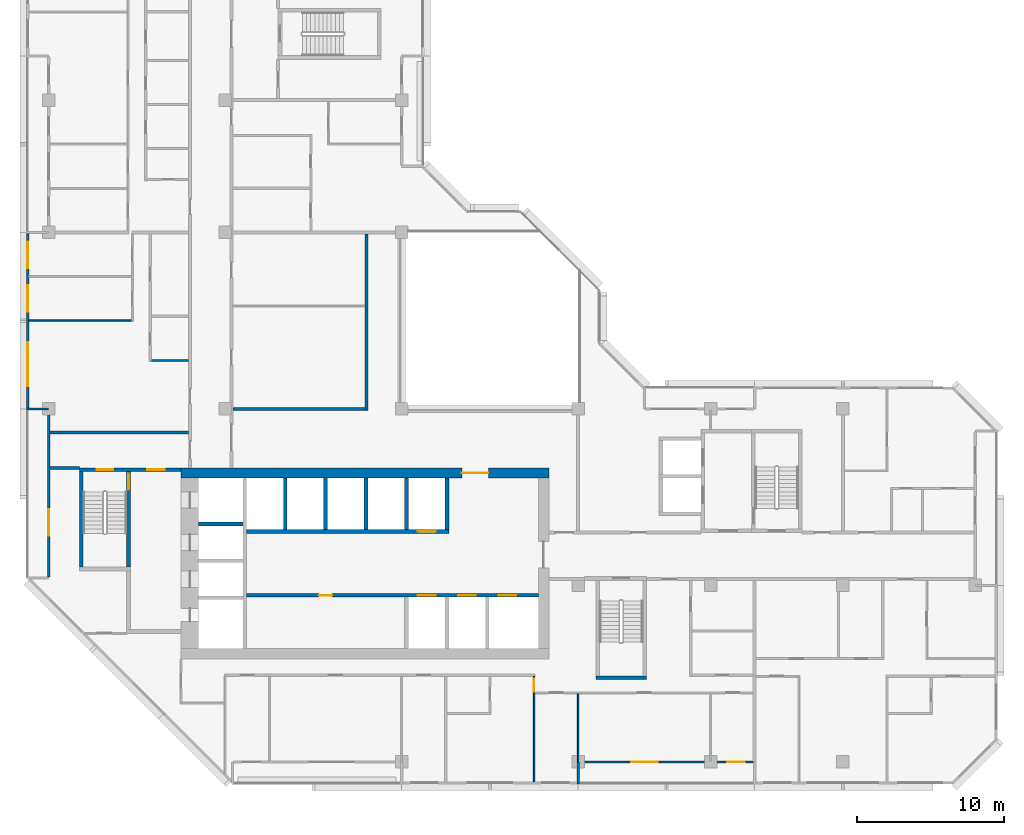
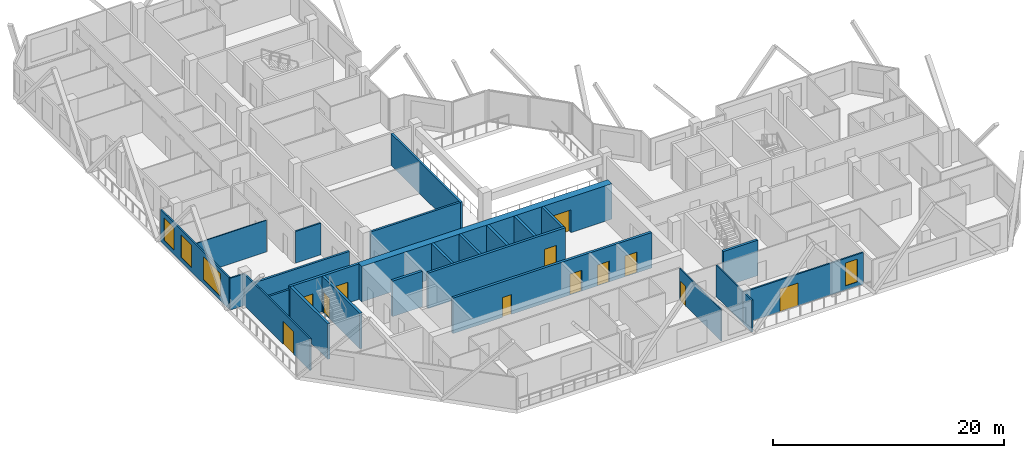
# One storey, part 5 of 15: 26 walls, 12 doors, 4 windows, 16 openings.
"""IFC4 building model written with IfcOpenShell, lengths in metres."""

from ifc_helpers import new_model, si_unit, direction, frame, frame_2d, origin, place, context, subcontext, project, spatial, rectangle, extrude, material, layer, layer_set, type_object, element, fill, save


model = new_model("IFC4")

# Units and contexts
model_context = context("Model", 3, precision=1e-05, world=origin(), true_north=direction((0.0, 1.0)))
body_context = subcontext(model_context, "Body", "Model", "MODEL_VIEW")
ifc_project = project(units=[si_unit("LENGTHUNIT", "METRE"), si_unit("AREAUNIT", "SQUARE_METRE"), si_unit("VOLUMEUNIT", "CUBIC_METRE"), si_unit("PLANEANGLEUNIT", "RADIAN"), si_unit("MASSUNIT", "GRAM", prefix="KILO")], contexts=[model_context])

# Site, building, storey
site_placement = place(None, origin())
site = spatial("IfcSite", under=ifc_project, at=site_placement, CompositionType="ELEMENT")
building_placement = place(site_placement, origin())
building = spatial("IfcBuilding", under=site, at=building_placement, Name="Chenar Terraces", CompositionType="ELEMENT")
storey_placement = place(building_placement, frame((0.0, 0.0, 211.64990234375)))
storey = spatial("IfcBuildingStorey", under=building, at=storey_placement, Name="L49", CompositionType="ELEMENT", Elevation=211.64990234375)

# Wall, openings, doors
ifc_material_1 = material(Name="Concrete C60/75", Category="concrete")
ifc_layer_1 = layer(ifc_material_1, 0.25)
ifc_layer_set_1 = layer_set([ifc_layer_1], Name="Concrete C60/75")
wall_type_1 = type_object("IfcWallType", Name="Core wall 250 Concrete C60/75", PredefinedType="SHEAR", material=ifc_layer_set_1)
wall_1_placement = place(storey_placement, frame((13.449951171875, 11.324951171875, 0.0), z_axis=(0.0, 0.0, 1.0), x_axis=(1.0, 0.0, 0.0)))
wall_1 = element("IfcWall", 1, at=wall_1_placement, inside=storey, type_object=wall_type_1, Name="Core wall SF L49", PredefinedType="SHEAR", context=body_context, shape_type="SweptSolid", body=[
    extrude(rectangle(XDim=19.85009765625, YDim=0.25, at=frame_2d((9.925048828125, 0.0))), origin(), (0.0, 0.0, 1.0), 3.75),
])
opening_1_placement = place(wall_1_placement, frame((11.64990234375, 0.0, 0.0)))
opening_1 = element("IfcOpeningElement", 2, at=opening_1_placement, cuts=wall_1, Name="Opening DL49-LD1", PredefinedType="OPENING", context=body_context, shape_type="SweptSolid", body=[
    extrude(rectangle(XDim=1.199951171875, YDim=2.199951171875, at=frame_2d((0.60009765625, 1.10009765625))), frame((0.0, 0.135009765625, 0.0), z_axis=(0.0, -1.0, 0.0), x_axis=(1.0, 0.0, 0.0)), (0.0, 0.0, 1.0), 0.27001953125),
])
opening_2_placement = place(wall_1_placement, frame((14.39990234375, 0.0, 0.0)))
opening_2 = element("IfcOpeningElement", 3, at=opening_2_placement, cuts=wall_1, Name="Opening DL49-LD2", PredefinedType="OPENING", context=body_context, shape_type="SweptSolid", body=[
    extrude(rectangle(XDim=1.199951171875, YDim=2.199951171875, at=frame_2d((0.60009765625, 1.10009765625))), frame((0.0, 0.135009765625, 0.0), z_axis=(0.0, -1.0, 0.0), x_axis=(1.0, 0.0, 0.0)), (0.0, 0.0, 1.0), 0.27001953125),
])
opening_3_placement = place(wall_1_placement, frame((17.14990234375, 0.0, 0.0)))
opening_3 = element("IfcOpeningElement", 4, at=opening_3_placement, cuts=wall_1, Name="Opening DL49-LD3", PredefinedType="OPENING", context=body_context, shape_type="SweptSolid", body=[
    extrude(rectangle(XDim=1.199951171875, YDim=2.199951171875, at=frame_2d((0.60009765625, 1.10009765625))), frame((0.0, 0.135009765625, 0.0), z_axis=(0.0, -1.0, 0.0), x_axis=(1.0, 0.0, 0.0)), (0.0, 0.0, 1.0), 0.27001953125),
])
opening_4_placement = place(wall_1_placement, frame((4.925048828125, 0.0, 0.0)))
opening_4 = element("IfcOpeningElement", 5, at=opening_4_placement, cuts=wall_1, Name="Opening DL49-C12", PredefinedType="OPENING", context=body_context, shape_type="SweptSolid", body=[
    extrude(rectangle(XDim=0.89990234375, YDim=2.10009765625, at=frame_2d((0.449951171875, 1.050048828125))), frame((0.0, 0.135009765625, 0.0), z_axis=(0.0, -1.0, 0.0), x_axis=(1.0, 0.0, 0.0)), (0.0, 0.0, 1.0), 0.27001953125),
])
ifc_material_2 = material(Name="Stainless steel", Category="steel")
door_type_1 = type_object("IfcDoorType", Name="Lift landing door 1200 x 2200 sliding", OperationType="DOUBLE_DOOR_SLIDING", PredefinedType="DOOR", material=ifc_material_2)
door_1_placement = place(opening_1_placement, origin())
door_1 = element("IfcDoor", 6, at=door_1_placement, inside=storey, type_object=door_type_1, Name="Landing door M1", OperationType="DOUBLE_DOOR_SLIDING", OverallHeight=2.199951171875, OverallWidth=1.199951171875, PredefinedType="DOOR", context=body_context, shape_type="SweptSolid", body=[
    extrude(rectangle(XDim=1.199951171875, YDim=2.199951171875, at=frame_2d((0.60009765625, 1.10009765625))), frame((0.0, 0.02490234375, 0.0), z_axis=(0.0, -1.0, 0.0), x_axis=(1.0, 0.0, 0.0)), (0.0, 0.0, 1.0), 0.050048828125),
])
fill(opening_1, door_1)
door_2_placement = place(opening_2_placement, origin())
door_2 = element("IfcDoor", 7, at=door_2_placement, inside=storey, type_object=door_type_1, Name="Landing door M2", OperationType="DOUBLE_DOOR_SLIDING", OverallHeight=2.199951171875, OverallWidth=1.199951171875, PredefinedType="DOOR", context=body_context, shape_type="SweptSolid", body=[
    extrude(rectangle(XDim=1.199951171875, YDim=2.199951171875, at=frame_2d((0.60009765625, 1.10009765625))), frame((0.0, 0.02490234375, 0.0), z_axis=(0.0, -1.0, 0.0), x_axis=(1.0, 0.0, 0.0)), (0.0, 0.0, 1.0), 0.050048828125),
])
fill(opening_2, door_2)
door_3_placement = place(opening_3_placement, origin())
door_3 = element("IfcDoor", 8, at=door_3_placement, inside=storey, type_object=door_type_1, Name="Landing door M3", OperationType="DOUBLE_DOOR_SLIDING", OverallHeight=2.199951171875, OverallWidth=1.199951171875, PredefinedType="DOOR", context=body_context, shape_type="SweptSolid", body=[
    extrude(rectangle(XDim=1.199951171875, YDim=2.199951171875, at=frame_2d((0.60009765625, 1.10009765625))), frame((0.0, 0.02490234375, 0.0), z_axis=(0.0, -1.0, 0.0), x_axis=(1.0, 0.0, 0.0)), (0.0, 0.0, 1.0), 0.050048828125),
])
fill(opening_3, door_3)
ifc_material_3 = material(Name="Steel-framed fire-resisting door leaf", Category="steel")
door_type_2 = type_object("IfcDoorType", Name="Riser fire door FD60 900 x 2100", OperationType="SINGLE_SWING_LEFT", PredefinedType="DOOR", material=ifc_material_3)
door_4_placement = place(opening_4_placement, frame((0.89990234375, 0.0, 0.0), z_axis=(0.0, 0.0, 1.0), x_axis=(-1.0, 0.0, 0.0)))
door_4 = element("IfcDoor", 9, at=door_4_placement, inside=storey, type_object=door_type_2, Name="Core room door DL49-C12", OperationType="SINGLE_SWING_RIGHT", OverallHeight=2.10009765625, OverallWidth=0.89990234375, PredefinedType="DOOR", context=body_context, shape_type="SweptSolid", body=[
    extrude(rectangle(XDim=0.89990234375, YDim=2.10009765625, at=frame_2d((0.449951171875, 1.050048828125))), frame((0.0, 0.02490234375, 0.0), z_axis=(0.0, -1.0, 0.0), x_axis=(1.0, 0.0, 0.0)), (0.0, 0.0, 1.0), 0.050048828125),
])
fill(opening_4, door_4)

# Wall, opening, door
wall_2_placement = place(storey_placement, frame((13.449951171875, 15.675048828125, 0.0), z_axis=(0.0, 0.0, 1.0), x_axis=(1.0, 0.0, 0.0)))
wall_2 = element("IfcWall", 10, at=wall_2_placement, inside=storey, type_object=wall_type_1, Name="Core wall NF L49", PredefinedType="SHEAR", context=body_context, shape_type="SweptSolid", body=[
    extrude(rectangle(XDim=13.75, YDim=0.25, at=frame_2d((6.875, 0.0))), origin(), (0.0, 0.0, 1.0), 3.75),
])
opening_5_placement = place(wall_2_placement, frame((11.64990234375, 0.0, 0.0)))
opening_5 = element("IfcOpeningElement", 11, at=opening_5_placement, cuts=wall_2, Name="Opening DL49-LD4", PredefinedType="OPENING", context=body_context, shape_type="SweptSolid", body=[
    extrude(rectangle(XDim=1.199951171875, YDim=2.199951171875, at=frame_2d((0.60009765625, 1.10009765625))), frame((0.0, 0.135009765625, 0.0), z_axis=(0.0, -1.0, 0.0), x_axis=(1.0, 0.0, 0.0)), (0.0, 0.0, 1.0), 0.27001953125),
])
door_5_placement = place(opening_5_placement, origin())
door_5 = element("IfcDoor", 12, at=door_5_placement, inside=storey, type_object=door_type_1, Name="Landing door M4", OperationType="DOUBLE_DOOR_SLIDING", OverallHeight=2.199951171875, OverallWidth=1.199951171875, PredefinedType="DOOR", context=body_context, shape_type="SweptSolid", body=[
    extrude(rectangle(XDim=1.199951171875, YDim=2.199951171875, at=frame_2d((0.60009765625, 1.10009765625))), frame((0.0, 0.02490234375, 0.0), z_axis=(0.0, -1.0, 0.0), x_axis=(1.0, 0.0, 0.0)), (0.0, 0.0, 1.0), 0.050048828125),
])
fill(opening_5, door_5)

# Walls
wall_3_placement = place(storey_placement, frame((10.199951171875, 16.175048828125, 0.0), z_axis=(0.0, 0.0, 1.0), x_axis=(1.0, 0.0, 0.0)))
element("IfcWall", 13, at=wall_3_placement, inside=storey, type_object=wall_type_1, Name="Core wall HW2 L49", PredefinedType="SHEAR", context=body_context, shape_type="SweptSolid", body=[
    extrude(rectangle(XDim=3.0, YDim=0.25, at=frame_2d((1.5, 0.0))), origin(), (0.0, 0.0, 1.0), 3.75),
])
for number, where, z_axis, x_axis, name in (
    (14, (16.074951171875, 15.800048828125, 0.0), (0.0, 0.0, 1.0), (0.0, 1.0, 0.0), "Core wall NS0 L49"),
    (15, (18.824951171875, 15.800048828125, 0.0), (0.0, 0.0, 1.0), (0.0, 1.0, 0.0), "Core wall NS1 L49"),
    (16, (21.574951171875, 15.800048828125, 0.0), (0.0, 0.0, 1.0), (0.0, 1.0, 0.0), "Core wall NS2 L49"),
    (17, (24.324951171875, 15.800048828125, 0.0), (0.0, 0.0, 1.0), (0.0, 1.0, 0.0), "Core wall NS3 L49"),
    (18, (27.074951171875, 15.800048828125, 0.0), (0.0, 0.0, 1.0), (0.0, 1.0, 0.0), "Core wall NE L49"),
):
    element("IfcWall", number, at=place(storey_placement, frame(where, z_axis=z_axis, x_axis=x_axis)), inside=storey, type_object=wall_type_1, Name=name, PredefinedType="SHEAR", context=body_context, shape_type="SweptSolid", body=[
        extrude(rectangle(XDim=3.5, YDim=0.25, at=frame_2d((1.75, 0.0))), origin(), (0.0, 0.0, 1.0), 3.75),
    ])

# Wall, openings, doors
wall_4_placement = place(storey_placement, frame((2.10009765625, 19.875, 0.0), z_axis=(0.0, 0.0, 1.0), x_axis=(1.0, 0.0, 0.0)))
wall_4 = element("IfcWall", 19, at=wall_4_placement, inside=storey, type_object=wall_type_1, Name="Core wall A_N L49", PredefinedType="SHEAR", context=body_context, shape_type="SweptSolid", body=[
    extrude(rectangle(XDim=6.89990234375, YDim=0.25, at=frame_2d((3.449951171875, 0.0))), origin(), (0.0, 0.0, 1.0), 3.75),
])
opening_6_placement = place(wall_4_placement, frame((1.175048828125, 0.0, 0.0)))
opening_6 = element("IfcOpeningElement", 20, at=opening_6_placement, cuts=wall_4, Name="Opening DL49-C5", PredefinedType="OPENING", context=body_context, shape_type="SweptSolid", body=[
    extrude(rectangle(XDim=1.10009765625, YDim=2.199951171875, at=frame_2d((0.550048828125, 1.10009765625))), frame((0.0, 0.135009765625, 0.0), z_axis=(0.0, -1.0, 0.0), x_axis=(1.0, 0.0, 0.0)), (0.0, 0.0, 1.0), 0.27001953125),
])
opening_7_placement = place(wall_4_placement, frame((4.60009765625, 0.0, 0.0)))
opening_7 = element("IfcOpeningElement", 21, at=opening_7_placement, cuts=wall_4, Name="Opening DL49-C6", PredefinedType="OPENING", context=body_context, shape_type="SweptSolid", body=[
    extrude(rectangle(XDim=1.199951171875, YDim=2.199951171875, at=frame_2d((0.60009765625, 1.10009765625))), frame((0.0, 0.135009765625, 0.0), z_axis=(0.0, -1.0, 0.0), x_axis=(1.0, 0.0, 0.0)), (0.0, 0.0, 1.0), 0.27001953125),
])
ifc_material_4 = material(Name="Steel-framed fire-resisting door leaf", Category="steel")
door_type_3 = type_object("IfcDoorType", Name="Lobby fire door FD60 1200 x 2200", OperationType="SINGLE_SWING_LEFT", PredefinedType="DOOR", material=ifc_material_4)
door_6_placement = place(opening_7_placement, frame((1.199951171875, 0.0, 0.0), z_axis=(0.0, 0.0, 1.0), x_axis=(-1.0, 0.0, 0.0)))
door_6 = element("IfcDoor", 22, at=door_6_placement, inside=storey, type_object=door_type_3, Name="Core door DL49-C6", OperationType="SINGLE_SWING_LEFT", OverallHeight=2.199951171875, OverallWidth=1.199951171875, PredefinedType="DOOR", context=body_context, shape_type="SweptSolid", body=[
    extrude(rectangle(XDim=1.199951171875, YDim=2.199951171875, at=frame_2d((0.60009765625, 1.10009765625))), frame((0.0, 0.02490234375, 0.0), z_axis=(0.0, -1.0, 0.0), x_axis=(1.0, 0.0, 0.0)), (0.0, 0.0, 1.0), 0.050048828125),
])
fill(opening_7, door_6)
ifc_material_5 = material(Name="Steel-framed fire-resisting door leaf", Category="steel")
door_type_4 = type_object("IfcDoorType", Name="Stair fire door FD60 1100 x 2200", OperationType="SINGLE_SWING_LEFT", PredefinedType="DOOR", material=ifc_material_5)
door_7_placement = place(opening_6_placement, origin())
door_7 = element("IfcDoor", 23, at=door_7_placement, inside=storey, type_object=door_type_4, Name="Stair door DL49-C5", OperationType="SINGLE_SWING_LEFT", OverallHeight=2.199951171875, OverallWidth=1.10009765625, PredefinedType="DOOR", context=body_context, shape_type="SweptSolid", body=[
    extrude(rectangle(XDim=1.10009765625, YDim=2.199951171875, at=frame_2d((0.550048828125, 1.10009765625))), frame((0.0, 0.02490234375, 0.0), z_axis=(0.0, -1.0, 0.0), x_axis=(1.0, 0.0, 0.0)), (0.0, 0.0, 1.0), 0.050048828125),
])
fill(opening_6, door_7)

# Wall
wall_5_placement = place(storey_placement, frame((2.22509765625, 13.25, 0.0), z_axis=(0.0, 0.0, 1.0), x_axis=(0.0, 1.0, 0.0)))
element("IfcWall", 24, at=wall_5_placement, inside=storey, type_object=wall_type_1, Name="Core wall ST1_W L49", PredefinedType="SHEAR", context=body_context, shape_type="SweptSolid", body=[
    extrude(rectangle(XDim=6.5, YDim=0.25, at=frame_2d((3.25, 0.0))), origin(), (0.0, 0.0, 1.0), 3.75),
])

# Wall, opening, door
wall_6_placement = place(storey_placement, frame((5.425048828125, 13.25, 0.0), z_axis=(0.0, 0.0, 1.0), x_axis=(0.0, 1.0, 0.0)))
wall_6 = element("IfcWall", 25, at=wall_6_placement, inside=storey, type_object=wall_type_1, Name="Core wall ST1_E L49", PredefinedType="SHEAR", context=body_context, shape_type="SweptSolid", body=[
    extrude(rectangle(XDim=6.5, YDim=0.25, at=frame_2d((3.25, 0.0))), origin(), (0.0, 0.0, 1.0), 3.75),
])
opening_8_placement = place(wall_6_placement, frame((5.25, 0.0, 0.0)))
opening_8 = element("IfcOpeningElement", 26, at=opening_8_placement, cuts=wall_6, Name="Opening DL49-C3", PredefinedType="OPENING", context=body_context, shape_type="SweptSolid", body=[
    extrude(rectangle(XDim=1.10009765625, YDim=2.199951171875, at=frame_2d((0.550048828125, 1.10009765625))), frame((0.0, 0.135009765625, 0.0), z_axis=(0.0, -1.0, 0.0), x_axis=(1.0, 0.0, 0.0)), (0.0, 0.0, 1.0), 0.27001953125),
])
door_8_placement = place(opening_8_placement, origin())
door_8 = element("IfcDoor", 27, at=door_8_placement, inside=storey, type_object=door_type_4, Name="Stair door DL49-C3", OperationType="SINGLE_SWING_RIGHT", OverallHeight=2.199951171875, OverallWidth=1.10009765625, PredefinedType="DOOR", context=body_context, shape_type="SweptSolid", body=[
    extrude(rectangle(XDim=1.10009765625, YDim=2.199951171875, at=frame_2d((0.550048828125, 1.10009765625))), frame((0.0, 0.02490234375, 0.0), z_axis=(0.0, -1.0, 0.0), x_axis=(1.0, 0.0, 0.0)), (0.0, 0.0, 1.0), 0.050048828125),
])
fill(opening_8, door_8)

# Wall
wall_7_placement = place(storey_placement, frame((37.199951171875, 5.72509765625, 0.0), z_axis=(0.0, 0.0, 1.0), x_axis=(1.0, 0.0, 0.0)))
element("IfcWall", 28, at=wall_7_placement, inside=storey, type_object=wall_type_1, Name="Core wall ST2_S L49", PredefinedType="SHEAR", context=body_context, shape_type="SweptSolid", body=[
    extrude(rectangle(XDim=3.449951171875, YDim=0.25, at=frame_2d((1.72509765625, 0.0))), origin(), (0.0, 0.0, 1.0), 3.75),
])

# Wall, opening, door
ifc_material_6 = material(Name="Concrete C60/75", Category="concrete")
ifc_layer_2 = layer(ifc_material_6, 0.699951171875)
ifc_layer_set_2 = layer_set([ifc_layer_2], Name="Concrete C60/75")
wall_type_2 = type_object("IfcWallType", Name="Core wall 700 Concrete C60/75", PredefinedType="SHEAR", material=ifc_layer_set_2)
wall_8_placement = place(storey_placement, frame((9.0, 19.64990234375, 0.0), z_axis=(0.0, 0.0, 1.0), x_axis=(1.0, 0.0, 0.0)))
wall_8 = element("IfcWall", 29, at=wall_8_placement, inside=storey, type_object=wall_type_2, Name="Core wall N L49", PredefinedType="SHEAR", context=body_context, shape_type="SweptSolid", body=[
    extrude(rectangle(XDim=25.0, YDim=0.699951171875, at=frame_2d((12.5, 0.0))), origin(), (0.0, 0.0, 1.0), 3.75),
])
opening_9_placement = place(wall_8_placement, frame((19.10009765625, 0.0, 0.0)))
opening_9 = element("IfcOpeningElement", 30, at=opening_9_placement, cuts=wall_8, Name="Opening DL49-C2", PredefinedType="OPENING", context=body_context, shape_type="SweptSolid", body=[
    extrude(rectangle(XDim=1.800048828125, YDim=2.39990234375, at=frame_2d((0.89990234375, 1.199951171875))), frame((0.0, 0.35986328125, 0.0), z_axis=(0.0, -1.0, 0.0), x_axis=(1.0, 0.0, 0.0)), (0.0, 0.0, 1.0), 0.719970703125),
])
ifc_material_7 = material(Name="Steel-framed fire-resisting door leaf", Category="steel")
door_type_5 = type_object("IfcDoorType", Name="Core entrance double fire door FD60 1800 x 2400", OperationType="DOUBLE_DOOR_SINGLE_SWING", PredefinedType="DOOR", material=ifc_material_7)
door_9_placement = place(opening_9_placement, frame((1.800048828125, 0.0, 0.0), z_axis=(0.0, 0.0, 1.0), x_axis=(-1.0, 0.0, 0.0)))
door_9 = element("IfcDoor", 31, at=door_9_placement, inside=storey, type_object=door_type_5, Name="Core door DL49-C2", OperationType="DOUBLE_DOOR_SINGLE_SWING", OverallHeight=2.39990234375, OverallWidth=1.800048828125, PredefinedType="DOOR", context=body_context, shape_type="SweptSolid", body=[
    extrude(rectangle(XDim=1.800048828125, YDim=2.39990234375, at=frame_2d((0.89990234375, 1.199951171875))), frame((0.0, 0.02490234375, 0.0), z_axis=(0.0, -1.0, 0.0), x_axis=(1.0, 0.0, 0.0)), (0.0, 0.0, 1.0), 0.050048828125),
])
fill(opening_9, door_9)

# Walls
ifc_material_8 = material(Name="Gypsum board on steel studs with fire boards", Category="steel")
ifc_layer_3 = layer(ifc_material_8, 0.199951171875)
ifc_layer_set_3 = layer_set([ifc_layer_3], Name="Gypsum board on steel studs with fire boards")
wall_type_3 = type_object("IfcWallType", Name="Corridor wall 200", PredefinedType="PARTITIONING", material=ifc_layer_set_3)
wall_9_placement = place(storey_placement, frame((0.073974609375, 20.0, 0.0), z_axis=(0.0, 0.0, 1.0), x_axis=(1.0, 0.0, 0.0)))
element("IfcWall", 32, at=wall_9_placement, inside=storey, type_object=wall_type_3, Name="Partition L49-008", PredefinedType="PARTITIONING", context=body_context, shape_type="SweptSolid", body=[
    extrude(rectangle(XDim=2.026123046875, YDim=0.199951171875, at=frame_2d((1.01318359375, 0.0))), origin(), (0.0, 0.0, 1.0), 3.35009765625),
])
wall_10_placement = place(storey_placement, frame((0.073974609375, 22.39990234375, 0.0), z_axis=(0.0, 0.0, 1.0), x_axis=(1.0, 0.0, 0.0)))
element("IfcWall", 33, at=wall_10_placement, inside=storey, type_object=wall_type_3, Name="Partition L49-009", PredefinedType="PARTITIONING", context=body_context, shape_type="SweptSolid", body=[
    extrude(rectangle(XDim=9.426025390625, YDim=0.199951171875, at=frame_2d((4.712890625, 0.0))), origin(), (0.0, 0.0, 1.0), 3.35009765625),
])
wall_11_placement = place(storey_placement, frame((12.52490234375, 24.0, 0.0), z_axis=(0.0, 0.0, 1.0), x_axis=(1.0, 0.0, 0.0)))
element("IfcWall", 34, at=wall_11_placement, inside=storey, type_object=wall_type_3, Name="Partition L49-034", PredefinedType="PARTITIONING", context=body_context, shape_type="SweptSolid", body=[
    extrude(rectangle(XDim=8.97509765625, YDim=0.199951171875, at=frame_2d((4.487548828125, 0.0))), origin(), (0.0, 0.0, 1.0), 3.35009765625),
])
wall_12_placement = place(storey_placement, frame((21.60009765625, 23.89990234375, 0.0), z_axis=(0.0, 0.0, 1.0), x_axis=(0.0, 1.0, 0.0)))
element("IfcWall", 35, at=wall_12_placement, inside=storey, type_object=wall_type_3, Name="Partition L49-052", PredefinedType="PARTITIONING", context=body_context, shape_type="SweptSolid", body=[
    extrude(rectangle(XDim=12.0, YDim=0.199951171875, at=frame_2d((6.0, 0.0))), origin(), (0.0, 0.0, 1.0), 3.35009765625),
])

# Wall, openings, windows
ifc_material_9 = material(Name="Aluminium framed glazing", Category="aluminium")
ifc_layer_4 = layer(ifc_material_9, 0.14990234375)
ifc_layer_set_4 = layer_set([ifc_layer_4], Name="Aluminium framed glazing")
wall_type_4 = type_object("IfcWallType", Name="Glazed flush facade wall 150", PredefinedType="SOLIDWALL", material=ifc_layer_set_4)
wall_13_placement = place(storey_placement, frame((-1.425048828125, 35.925048828125, 0.0), z_axis=(0.0, 0.0, 1.0), x_axis=(0.0, -1.0, 0.0)))
wall_13 = element("IfcWall", 36, at=wall_13_placement, inside=storey, type_object=wall_type_4, Name="Glazed flush facade wall", PredefinedType="SOLIDWALL", context=body_context, shape_type="SweptSolid", body=[
    extrude(rectangle(XDim=11.85009765625, YDim=0.14990234375, at=frame_2d((5.925048828125, 0.0))), origin(), (0.0, 0.0, 1.0), 3.35009765625),
])
opening_10_placement = place(wall_13_placement, frame((0.5625, 0.0, 0.449951171875)))
opening_10 = element("IfcOpeningElement", 37, at=opening_10_placement, cuts=wall_13, Name="Opening W180x240", PredefinedType="OPENING", context=body_context, shape_type="SweptSolid", body=[
    extrude(rectangle(XDim=1.800048828125, YDim=2.39990234375, at=frame_2d((0.89990234375, 1.199951171875))), frame((0.0, 0.0849609375, 0.0), z_axis=(0.0, -1.0, 0.0), x_axis=(1.0, 0.0, 0.0)), (0.0, 0.0, 1.0), 0.169921875),
])
opening_11_placement = place(wall_13_placement, frame((3.52490234375, 0.0, 0.449951171875)))
opening_11 = element("IfcOpeningElement", 38, at=opening_11_placement, cuts=wall_13, Name="Opening W180x240", PredefinedType="OPENING", context=body_context, shape_type="SweptSolid", body=[
    extrude(rectangle(XDim=1.800048828125, YDim=2.39990234375, at=frame_2d((0.89990234375, 1.199951171875))), frame((0.0, 0.0849609375, 0.0), z_axis=(0.0, -1.0, 0.0), x_axis=(1.0, 0.0, 0.0)), (0.0, 0.0, 1.0), 0.169921875),
])
opening_12_placement = place(wall_13_placement, frame((7.387451171875, 0.0, 0.449951171875)))
opening_12 = element("IfcOpeningElement", 39, at=opening_12_placement, cuts=wall_13, Name="Opening W300x240", PredefinedType="OPENING", context=body_context, shape_type="SweptSolid", body=[
    extrude(rectangle(XDim=3.0, YDim=2.39990234375, at=frame_2d((1.5, 1.199951171875))), frame((0.0, 0.0849609375, 0.0), z_axis=(0.0, -1.0, 0.0), x_axis=(1.0, 0.0, 0.0)), (0.0, 0.0, 1.0), 0.169921875),
])
ifc_material_10 = material(Name="Low emissivity double glazing, aluminium frame", Category="aluminium")
window_type_1 = type_object("IfcWindowType", Name="Fixed light 1800 x 2400", PartitioningType="SINGLE_PANEL", PredefinedType="WINDOW", material=ifc_material_10)
window_1_placement = place(opening_10_placement, origin())
window_1 = element("IfcWindow", 40, at=window_1_placement, inside=storey, type_object=window_type_1, Name="Window", OverallHeight=2.39990234375, OverallWidth=1.800048828125, PartitioningType="SINGLE_PANEL", PredefinedType="WINDOW", context=body_context, shape_type="SweptSolid", body=[
    extrude(rectangle(XDim=1.800048828125, YDim=2.39990234375, at=frame_2d((0.89990234375, 1.199951171875))), frame((0.0, 0.030029296875, 0.0), z_axis=(0.0, -1.0, 0.0), x_axis=(1.0, 0.0, 0.0)), (0.0, 0.0, 1.0), 0.06005859375),
])
fill(opening_10, window_1)
window_2_placement = place(opening_11_placement, origin())
window_2 = element("IfcWindow", 41, at=window_2_placement, inside=storey, type_object=window_type_1, Name="Window", OverallHeight=2.39990234375, OverallWidth=1.800048828125, PartitioningType="SINGLE_PANEL", PredefinedType="WINDOW", context=body_context, shape_type="SweptSolid", body=[
    extrude(rectangle(XDim=1.800048828125, YDim=2.39990234375, at=frame_2d((0.89990234375, 1.199951171875))), frame((0.0, 0.030029296875, 0.0), z_axis=(0.0, -1.0, 0.0), x_axis=(1.0, 0.0, 0.0)), (0.0, 0.0, 1.0), 0.06005859375),
])
fill(opening_11, window_2)
ifc_material_11 = material(Name="Low emissivity double glazing, aluminium frame", Category="aluminium")
window_type_2 = type_object("IfcWindowType", Name="Fixed light 3000 x 2400", PartitioningType="SINGLE_PANEL", PredefinedType="WINDOW", material=ifc_material_11)
window_3_placement = place(opening_12_placement, origin())
window_3 = element("IfcWindow", 42, at=window_3_placement, inside=storey, type_object=window_type_2, Name="Window", OverallHeight=2.39990234375, OverallWidth=3.0, PartitioningType="SINGLE_PANEL", PredefinedType="WINDOW", context=body_context, shape_type="SweptSolid", body=[
    extrude(rectangle(XDim=3.0, YDim=2.39990234375, at=frame_2d((1.5, 1.199951171875))), frame((0.0, 0.030029296875, 0.0), z_axis=(0.0, -1.0, 0.0), x_axis=(1.0, 0.0, 0.0)), (0.0, 0.0, 1.0), 0.06005859375),
])
fill(opening_12, window_3)

# Wall, opening, door
ifc_material_12 = material(Name="Aluminium framed glazing", Category="aluminium")
ifc_layer_5 = layer(ifc_material_12, 0.14990234375)
ifc_layer_set_5 = layer_set([ifc_layer_5], Name="Aluminium framed glazing")
wall_type_5 = type_object("IfcWallType", Name="Glazed loggia back wall 150", PredefinedType="SOLIDWALL", material=ifc_layer_set_5)
wall_14_placement = place(storey_placement, frame((0.0, 23.925048828125, 0.0), z_axis=(0.0, 0.0, 1.0), x_axis=(0.0, -1.0, 0.0)))
wall_14 = element("IfcWall", 43, at=wall_14_placement, inside=storey, type_object=wall_type_5, Name="Glazed loggia back wall", PredefinedType="SOLIDWALL", context=body_context, shape_type="SweptSolid", body=[
    extrude(rectangle(XDim=11.35009765625, YDim=0.14990234375, at=frame_2d((5.675048828125, 0.0))), origin(), (0.0, 0.0, 1.0), 3.35009765625),
])
opening_13_placement = place(wall_14_placement, frame((6.737548828125, 0.0, 0.0)))
opening_13 = element("IfcOpeningElement", 44, at=opening_13_placement, cuts=wall_14, Name="Opening DL49-G4", PredefinedType="OPENING", context=body_context, shape_type="SweptSolid", body=[
    extrude(rectangle(XDim=1.800048828125, YDim=2.39990234375, at=frame_2d((0.89990234375, 1.199951171875))), frame((0.0, 0.0849609375, 0.0), z_axis=(0.0, -1.0, 0.0), x_axis=(1.0, 0.0, 0.0)), (0.0, 0.0, 1.0), 0.169921875),
])
ifc_material_13 = material(Name="Low emissivity double glazing, aluminium frame", Category="aluminium")
door_type_6 = type_object("IfcDoorType", Name="Loggia glazed double door 1800 x 2400", OperationType="DOUBLE_DOOR_SINGLE_SWING", PredefinedType="DOOR", material=ifc_material_13)
door_10_placement = place(opening_13_placement, frame((1.800048828125, 0.0, 0.0), z_axis=(0.0, 0.0, 1.0), x_axis=(-1.0, 0.0, 0.0)))
door_10 = element("IfcDoor", 45, at=door_10_placement, inside=storey, type_object=door_type_6, Name="Loggia glazed door", OperationType="DOUBLE_DOOR_SINGLE_SWING", OverallHeight=2.39990234375, OverallWidth=1.800048828125, PredefinedType="DOOR", context=body_context, shape_type="SweptSolid", body=[
    extrude(rectangle(XDim=1.800048828125, YDim=2.39990234375, at=frame_2d((0.89990234375, 1.199951171875))), frame((0.0, 0.02490234375, 0.0), z_axis=(0.0, -1.0, 0.0), x_axis=(1.0, 0.0, 0.0)), (0.0, 0.0, 1.0), 0.050048828125),
])
fill(opening_13, door_10)

# Wall, openings, window, door
wall_15_placement = place(storey_placement, frame((36.074951171875, 0.0, 0.0), z_axis=(0.0, 0.0, 1.0), x_axis=(1.0, 0.0, 0.0)))
wall_15 = element("IfcWall", 46, at=wall_15_placement, inside=storey, type_object=wall_type_5, Name="Glazed loggia back wall", PredefinedType="SOLIDWALL", context=body_context, shape_type="SweptSolid", body=[
    extrude(rectangle(XDim=11.85009765625, YDim=0.14990234375, at=frame_2d((5.925048828125, 0.0))), origin(), (0.0, 0.0, 1.0), 3.35009765625),
])
opening_14_placement = place(wall_15_placement, frame((3.52490234375, 0.0, 0.0)))
opening_14 = element("IfcOpeningElement", 47, at=opening_14_placement, cuts=wall_15, Name="Opening DL49-G6", PredefinedType="OPENING", context=body_context, shape_type="SweptSolid", body=[
    extrude(rectangle(XDim=1.800048828125, YDim=2.39990234375, at=frame_2d((0.89990234375, 1.199951171875))), frame((0.0, 0.0849609375, 0.0), z_axis=(0.0, -1.0, 0.0), x_axis=(1.0, 0.0, 0.0)), (0.0, 0.0, 1.0), 0.169921875),
])
opening_15_placement = place(wall_15_placement, frame((10.050048828125, 0.0, 0.449951171875)))
opening_15 = element("IfcOpeningElement", 48, at=opening_15_placement, cuts=wall_15, Name="Opening W120x240", PredefinedType="OPENING", context=body_context, shape_type="SweptSolid", body=[
    extrude(rectangle(XDim=1.199951171875, YDim=2.39990234375, at=frame_2d((0.60009765625, 1.199951171875))), frame((0.0, 0.0849609375, 0.0), z_axis=(0.0, -1.0, 0.0), x_axis=(1.0, 0.0, 0.0)), (0.0, 0.0, 1.0), 0.169921875),
])
ifc_material_14 = material(Name="Low emissivity double glazing, aluminium frame", Category="aluminium")
window_type_3 = type_object("IfcWindowType", Name="Fixed light 1200 x 2400", PartitioningType="SINGLE_PANEL", PredefinedType="WINDOW", material=ifc_material_14)
window_4_placement = place(opening_15_placement, origin())
window_4 = element("IfcWindow", 49, at=window_4_placement, inside=storey, type_object=window_type_3, Name="Window", OverallHeight=2.39990234375, OverallWidth=1.199951171875, PartitioningType="SINGLE_PANEL", PredefinedType="WINDOW", context=body_context, shape_type="SweptSolid", body=[
    extrude(rectangle(XDim=1.199951171875, YDim=2.39990234375, at=frame_2d((0.60009765625, 1.199951171875))), frame((0.0, 0.030029296875, 0.0), z_axis=(0.0, -1.0, 0.0), x_axis=(1.0, 0.0, 0.0)), (0.0, 0.0, 1.0), 0.06005859375),
])
fill(opening_15, window_4)
door_11_placement = place(opening_14_placement, frame((1.800048828125, 0.0, 0.0), z_axis=(0.0, 0.0, 1.0), x_axis=(-1.0, 0.0, 0.0)))
door_11 = element("IfcDoor", 50, at=door_11_placement, inside=storey, type_object=door_type_6, Name="Loggia glazed door", OperationType="DOUBLE_DOOR_SINGLE_SWING", OverallHeight=2.39990234375, OverallWidth=1.800048828125, PredefinedType="DOOR", context=body_context, shape_type="SweptSolid", body=[
    extrude(rectangle(XDim=1.800048828125, YDim=2.39990234375, at=frame_2d((0.89990234375, 1.199951171875))), frame((0.0, 0.02490234375, 0.0), z_axis=(0.0, -1.0, 0.0), x_axis=(1.0, 0.0, 0.0)), (0.0, 0.0, 1.0), 0.050048828125),
])
fill(opening_14, door_11)

# Wall
ifc_material_15 = material(Name="Gypsum board on steel studs", Category="steel")
ifc_layer_6 = layer(ifc_material_15, 0.10009765625)
ifc_layer_set_6 = layer_set([ifc_layer_6], Name="Gypsum board on steel studs")
wall_type_6 = type_object("IfcWallType", Name="Gypsum partition 100", PredefinedType="PARTITIONING", material=ifc_layer_set_6)
wall_16_placement = place(storey_placement, frame((-1.35009765625, 30.0, 0.0), z_axis=(0.0, 0.0, 1.0), x_axis=(1.0, 0.0, 0.0)))
element("IfcWall", 51, at=wall_16_placement, inside=storey, type_object=wall_type_6, Name="Partition L49-005", PredefinedType="PARTITIONING", context=body_context, shape_type="SweptSolid", body=[
    extrude(rectangle(XDim=7.0, YDim=0.10009765625, at=frame_2d((3.5, 0.0))), origin(), (0.0, 0.0, 1.0), 3.35009765625),
])

# Wall, opening, door
wall_17_placement = place(storey_placement, frame((33.0, -1.35107421875, 0.0), z_axis=(0.0, 0.0, 1.0), x_axis=(0.0, 1.0, 0.0)))
wall_17 = element("IfcWall", 52, at=wall_17_placement, inside=storey, type_object=wall_type_6, Name="Partition L49-057", PredefinedType="PARTITIONING", context=body_context, shape_type="SweptSolid", body=[
    extrude(rectangle(XDim=7.176025390625, YDim=0.10009765625, at=frame_2d((3.587890625, 0.0))), origin(), (0.0, 0.0, 1.0), 3.35009765625),
])
opening_16_placement = place(wall_17_placement, frame((6.1259765625, 0.0, 0.0)))
opening_16 = element("IfcOpeningElement", 53, at=opening_16_placement, cuts=wall_17, Name="Opening DL49-51", PredefinedType="OPENING", context=body_context, shape_type="SweptSolid", body=[
    extrude(rectangle(XDim=0.89990234375, YDim=2.10009765625, at=frame_2d((0.449951171875, 1.050048828125))), frame((0.0, 0.06005859375, 0.0), z_axis=(0.0, -1.0, 0.0), x_axis=(1.0, 0.0, 0.0)), (0.0, 0.0, 1.0), 0.1201171875),
])
ifc_material_16 = material(Name="Veneered timber door leaf", Category="wood")
door_type_7 = type_object("IfcDoorType", Name="Door 900 x 2100", OperationType="SINGLE_SWING_LEFT", PredefinedType="DOOR", material=ifc_material_16)
door_12_placement = place(opening_16_placement, origin())
door_12 = element("IfcDoor", 54, at=door_12_placement, inside=storey, type_object=door_type_7, Name="Door DL49-51", OperationType="SINGLE_SWING_RIGHT", OverallHeight=2.10009765625, OverallWidth=0.89990234375, PredefinedType="DOOR", context=body_context, shape_type="SweptSolid", body=[
    extrude(rectangle(XDim=0.89990234375, YDim=2.10009765625, at=frame_2d((0.449951171875, 1.050048828125))), frame((0.0, 0.02490234375, 0.0), z_axis=(0.0, -1.0, 0.0), x_axis=(1.0, 0.0, 0.0)), (0.0, 0.0, 1.0), 0.050048828125),
])
fill(opening_16, door_12)

# Walls
wall_18_placement = place(storey_placement, frame((36.0, 0.0, 0.0), z_axis=(0.0, 0.0, 1.0), x_axis=(0.0, 1.0, 0.0)))
element("IfcWall", 55, at=wall_18_placement, inside=storey, type_object=wall_type_6, Name="Partition L49-061", PredefinedType="PARTITIONING", context=body_context, shape_type="SweptSolid", body=[
    extrude(rectangle(XDim=4.64990234375, YDim=0.10009765625, at=frame_2d((2.324951171875, 0.0))), origin(), (0.0, 0.0, 1.0), 3.35009765625),
])
ifc_material_17 = material(Name="Terracotta cladding on insulated backing", Category="masonry")
ifc_layer_7 = layer(ifc_material_17, 0.14990234375)
ifc_layer_set_7 = layer_set([ifc_layer_7], Name="Terracotta cladding on insulated backing")
wall_type_7 = type_object("IfcWallType", Name="Loggia return wall 150", PredefinedType="SOLIDWALL", material=ifc_layer_set_7)
for number, where, z_axis, x_axis, name in (
    (56, (-1.5, 24.0, 0.0), (0.0, 0.0, 1.0), (1.0, 0.0, 0.0), "Loggia return wall"),
    (57, (36.0, -1.5, 0.0), (0.0, 0.0, 1.0), (0.0, 1.0, 0.0), "Loggia return wall"),
):
    element("IfcWall", number, at=place(storey_placement, frame(where, z_axis=z_axis, x_axis=x_axis)), inside=storey, type_object=wall_type_7, Name=name, PredefinedType="SOLIDWALL", context=body_context, shape_type="SweptSolid", body=[
        extrude(rectangle(XDim=1.5, YDim=0.14990234375, at=frame_2d((0.75, 0.0))), origin(), (0.0, 0.0, 1.0), 3.35009765625),
    ])
ifc_material_18 = material(Name="Moisture-resistant gypsum board on steel studs", Category="steel")
ifc_layer_8 = layer(ifc_material_18, 0.14990234375)
ifc_layer_set_8 = layer_set([ifc_layer_8], Name="Moisture-resistant gypsum board on steel studs")
wall_type_8 = type_object("IfcWallType", Name="Wet-room partition 150", PredefinedType="PARTITIONING", material=ifc_layer_set_8)
wall_19_placement = place(storey_placement, frame((6.97509765625, 27.300048828125, 0.0), z_axis=(0.0, 0.0, 1.0), x_axis=(1.0, 0.0, 0.0)))
element("IfcWall", 58, at=wall_19_placement, inside=storey, type_object=wall_type_8, Name="Partition L49-026", PredefinedType="PARTITIONING", context=body_context, shape_type="SweptSolid", body=[
    extrude(rectangle(XDim=2.52490234375, YDim=0.14990234375, at=frame_2d((1.262451171875, 0.0))), origin(), (0.0, 0.0, 1.0), 3.35009765625),
])

save(model, "model.ifc")
